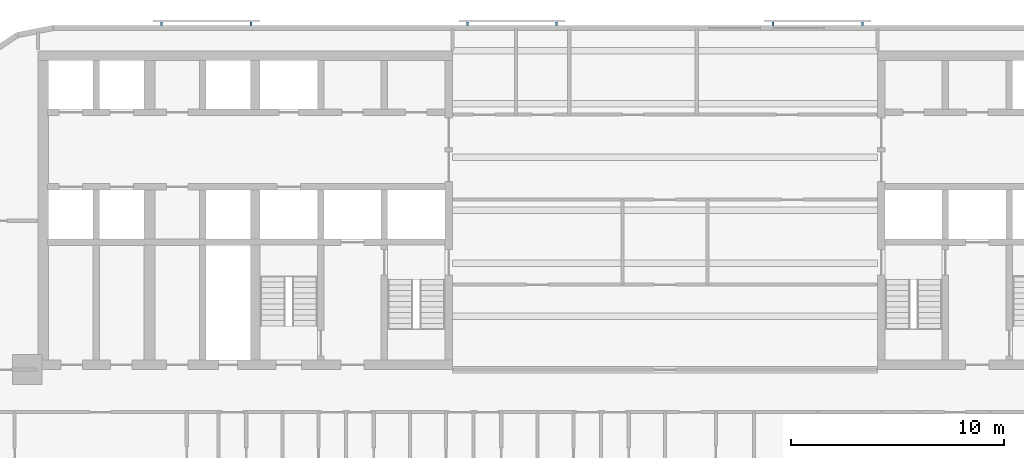
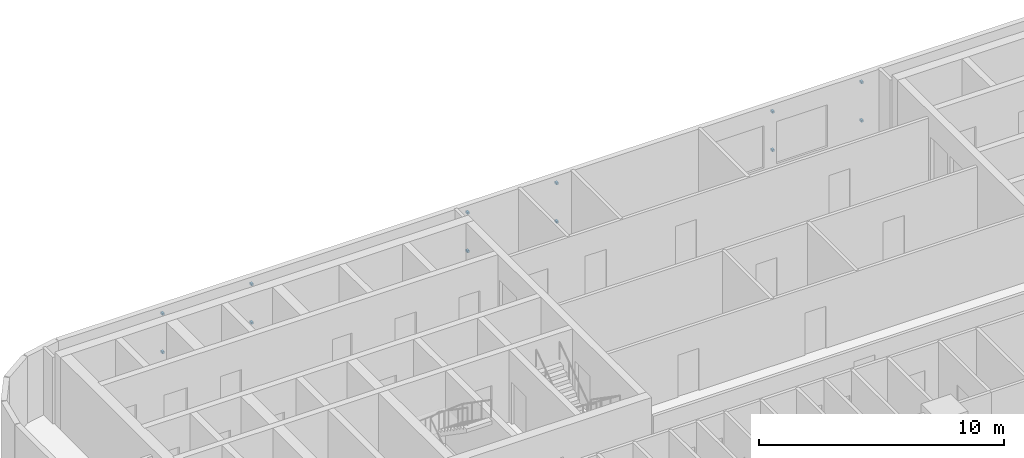
# One storey, part 9 of 13: 12 discrete accessories.
"""IFC4 building model written with IfcOpenShell, lengths in metres."""

from ifc_helpers import new_model, si_unit, direction, frame, origin, origin_2d, place, context, subcontext, project, spatial, rectangle, extrude, material, type_object, element, save


model = new_model("IFC4")

# Units and contexts
model_context = context("Model", 3, precision=1e-05, world=origin(), true_north=direction((0.0, 1.0)))
body_context = subcontext(model_context, "Body", "Model", "MODEL_VIEW")
ifc_project = project(units=[si_unit("LENGTHUNIT", "METRE"), si_unit("AREAUNIT", "SQUARE_METRE"), si_unit("VOLUMEUNIT", "CUBIC_METRE"), si_unit("PLANEANGLEUNIT", "RADIAN"), si_unit("MASSUNIT", "GRAM", prefix="KILO")], contexts=[model_context])

# Site, building, storey
site_placement = place(None, origin())
site = spatial("IfcSite", under=ifc_project, at=site_placement, CompositionType="ELEMENT")
building_placement = place(site_placement, origin())
building = spatial("IfcBuilding", under=site, at=building_placement, Name="Torana Hotel and Residences", CompositionType="ELEMENT")
storey_placement = place(building_placement, frame((0.0, 0.0, 60.0)))
storey = spatial("IfcBuildingStorey", under=building, at=storey_placement, Name="L14", CompositionType="ELEMENT", Elevation=60.0)

# Discrete accessories
ifc_material = material(Name="Steel S355", Category="steel")
discrete_accessory_type = type_object("IfcDiscreteAccessoryType", Name="SCREEN BRACKET 100", PredefinedType="BRACKET", material=ifc_material)
for number, where, z_axis, x_axis, name in (
    (1, (9.293701171875, 1.27490234375, 0.75), (0.0, 0.0, 1.0), (-1.0, 0.0, 0.0), "Screen bracket L14"),
    (2, (9.293701171875, 1.27490234375, 2.669921875), (0.0, 0.0, 1.0), (-1.0, 0.0, 0.0), "Screen bracket L14"),
    (3, (5.09375, 1.27490234375, 0.75), (0.0, 0.0, 1.0), (-1.0, 0.0, 0.0), "Screen bracket L14"),
    (4, (5.09375, 1.27490234375, 2.669921875), (0.0, 0.0, 1.0), (-1.0, 0.0, 0.0), "Screen bracket L14"),
    (5, (-5.09375, 1.27490234375, 0.75), (0.0, 0.0, 1.0), (-1.0, 0.0, 0.0), "Screen bracket L14"),
    (6, (-5.09375, 1.27490234375, 2.669921875), (0.0, 0.0, 1.0), (-1.0, 0.0, 0.0), "Screen bracket L14"),
    (7, (-9.293701171875, 1.27490234375, 0.75), (0.0, 0.0, 1.0), (-1.0, 0.0, 0.0), "Screen bracket L14"),
    (8, (-9.293701171875, 1.27490234375, 2.669921875), (0.0, 0.0, 1.0), (-1.0, 0.0, 0.0), "Screen bracket L14"),
    (9, (-19.4814453125, 1.27490234375, 0.75), (0.0, 0.0, 1.0), (-1.0, 0.0, 0.0), "Screen bracket L14"),
    (10, (-19.4814453125, 1.27490234375, 2.669921875), (0.0, 0.0, 1.0), (-1.0, 0.0, 0.0), "Screen bracket L14"),
    (11, (-23.681396484375, 1.27490234375, 0.75), (0.0, 0.0, 1.0), (-1.0, 0.0, 0.0), "Screen bracket L14"),
    (12, (-23.681396484375, 1.27490234375, 2.669921875), (0.0, 0.0, 1.0), (-1.0, 0.0, 0.0), "Screen bracket L14"),
):
    element("IfcDiscreteAccessory", number, at=place(storey_placement, frame(where, z_axis=z_axis, x_axis=x_axis)), inside=storey, type_object=discrete_accessory_type, Name=name, PredefinedType="BRACKET", context=body_context, shape_type="SweptSolid", body=[
        extrude(rectangle(XDim=0.10009765625, YDim=0.14990234375, at=origin_2d()), origin(), (0.0, 0.0, 1.0), 0.10009765625),
    ])

save(model, "model.ifc")
